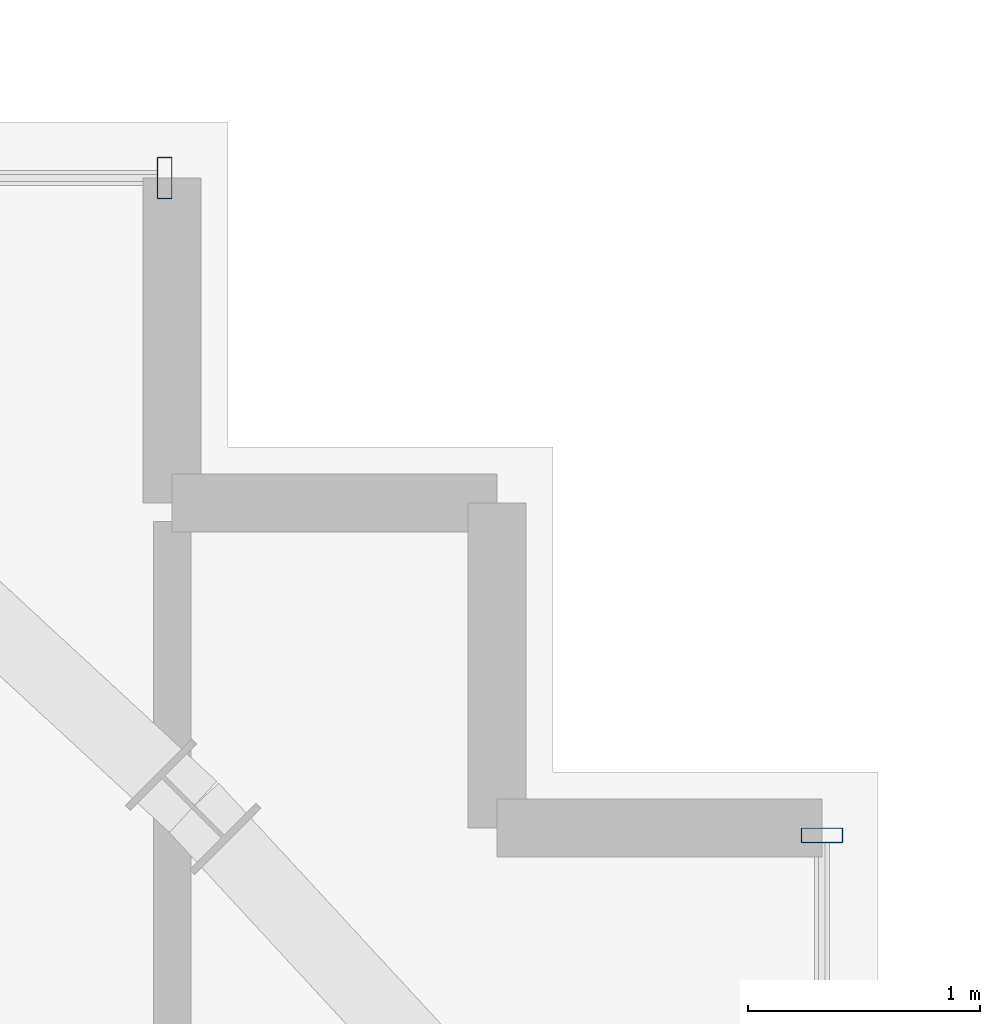
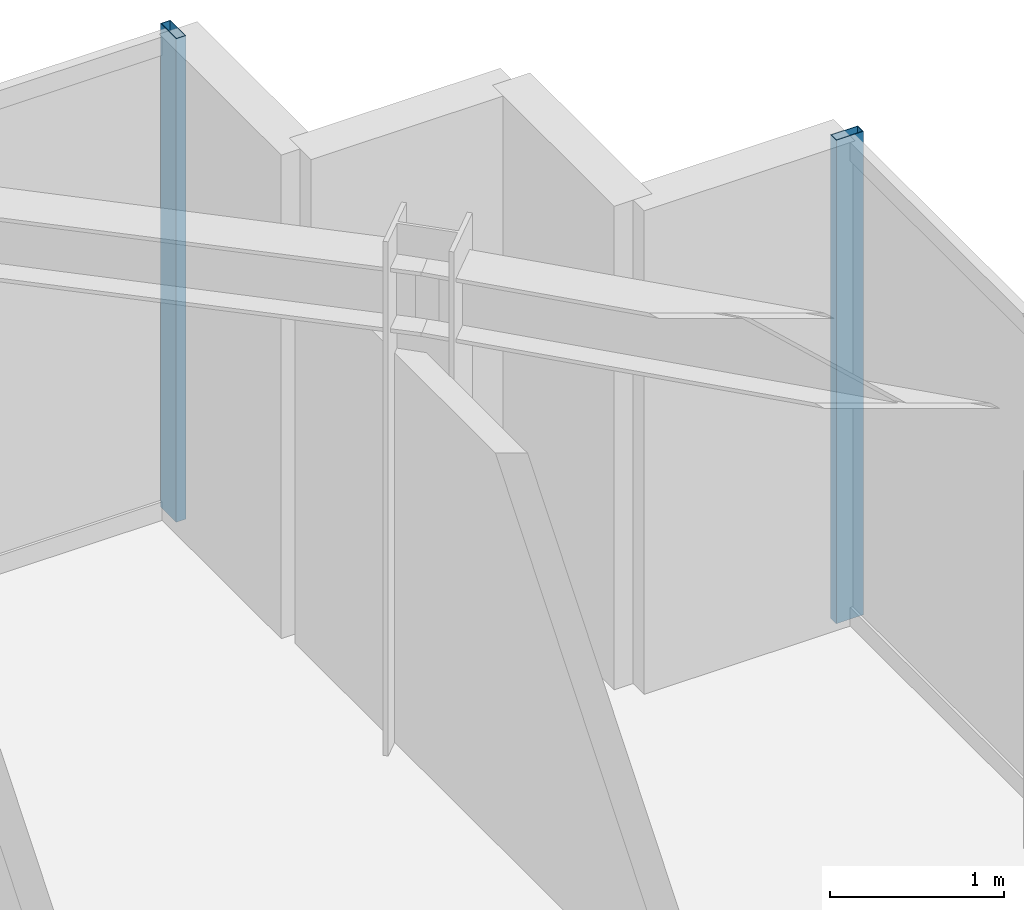
# One storey, part 20 of 29: 2 members, 2 elements without a shape of their own.
"""IFC4 building model written with IfcOpenShell, lengths in metres."""

from ifc_helpers import new_model, si_unit, direction, frame, origin, origin_2d, place, context, subcontext, project, spatial, hollow_rectangle, extrude, source, transform, mapped, material, material_profile, profile_set, type_object, element, aggregate, save


model = new_model("IFC4")

# Units and contexts
model_context = context("Model", 3, precision=1e-05, world=origin(), true_north=direction((0.0, 1.0)))
body_context = subcontext(model_context, "Body", "Model", "MODEL_VIEW")
ifc_project = project(units=[si_unit("LENGTHUNIT", "METRE"), si_unit("AREAUNIT", "SQUARE_METRE"), si_unit("VOLUMEUNIT", "CUBIC_METRE"), si_unit("PLANEANGLEUNIT", "RADIAN"), si_unit("MASSUNIT", "GRAM", prefix="KILO")], contexts=[model_context])

# Site, building, storey
site_placement = place(None, origin())
site = spatial("IfcSite", under=ifc_project, at=site_placement, CompositionType="ELEMENT")
building_placement = place(site_placement, origin())
building = spatial("IfcBuilding", under=site, at=building_placement, Name="Nahalor Promenade Grand Hotel", CompositionType="ELEMENT")
storey_placement = place(building_placement, frame((0.0, 0.0, 189.14990234375)))
storey = spatial("IfcBuildingStorey", under=building, at=storey_placement, Name="L48", CompositionType="ELEMENT", Elevation=189.14990234375)

# Curtain wall, member
ifc_material = material(Name="Anodised Bronze Aluminium EN AW-6063 T6", Category="aluminium")
curtain_wall_type = type_object("IfcCurtainWallType", Name="CW2 Typical Hotel Flush Bronze Unitised Curtain Wall", PredefinedType="USERDEFINED", material=ifc_material)
curtain_wall_1_placement = place(storey_placement, origin())
curtain_wall_1 = element("IfcCurtainWall", 1, at=curtain_wall_1_placement, inside=storey, type_object=curtain_wall_type, Name="L48 Curtain Wall CW-L48-N-3", ObjectType="UNITISED_CURTAIN_WALL", PredefinedType="USERDEFINED")
ifc_material_profile = material_profile(ifc_material, hollow_rectangle(XDim=0.065, YDim=0.18, WallThickness=0.004, at=origin_2d()), Name="CWM 65x180x4")
ifc_profile_set = profile_set([ifc_material_profile], Name="Anodised Bronze Aluminium EN AW-6063 T6")
member_type = type_object("IfcMemberType", Name="CWM2 Typical Bronze Mullion 65x180", PredefinedType="MULLION", material=ifc_profile_set)
shared_shape = source(origin(), body_context, "Body", "SweptSolid", [
    extrude(hollow_rectangle(XDim=0.065, YDim=0.18, WallThickness=0.004, at=origin_2d()), origin(), (0.0, 0.0, 1.0), 3.39013671875),
])
member_1_placement = place(storey_placement, frame((19.7275390625, 22.56005859375, 0.0), z_axis=(0.0, 0.0, 1.0), x_axis=(1.0, 0.0, 0.0)))
member_1 = element("IfcMember", 2, at=member_1_placement, type_object=member_type, Name="CW-L48-N-3 Mullion 2", PredefinedType="MULLION", context=body_context, shape_type="MappedRepresentation", body=[
    mapped(shared_shape, transform((0.0, 0.0, 0.0), scale=1.0)),
])
aggregate(curtain_wall_1, [member_1])

curtain_wall_2_placement = place(storey_placement, origin())
curtain_wall_2 = element("IfcCurtainWall", 3, at=curtain_wall_2_placement, inside=storey, type_object=curtain_wall_type, Name="L48 Curtain Wall CW-L48-E-3", ObjectType="UNITISED_CURTAIN_WALL", PredefinedType="USERDEFINED")
member_2_placement = place(storey_placement, frame((22.56005859375, 19.7275390625, 0.0), z_axis=(0.0, 0.0, 1.0), x_axis=(0.0, 1.0, 0.0)))
member_2 = element("IfcMember", 4, at=member_2_placement, type_object=member_type, Name="CW-L48-E-3 Mullion 2", PredefinedType="MULLION", context=body_context, shape_type="MappedRepresentation", body=[
    mapped(shared_shape, transform((0.0, 0.0, 0.0), scale=1.0)),
])
aggregate(curtain_wall_2, [member_2])

save(model, "model.ifc")
